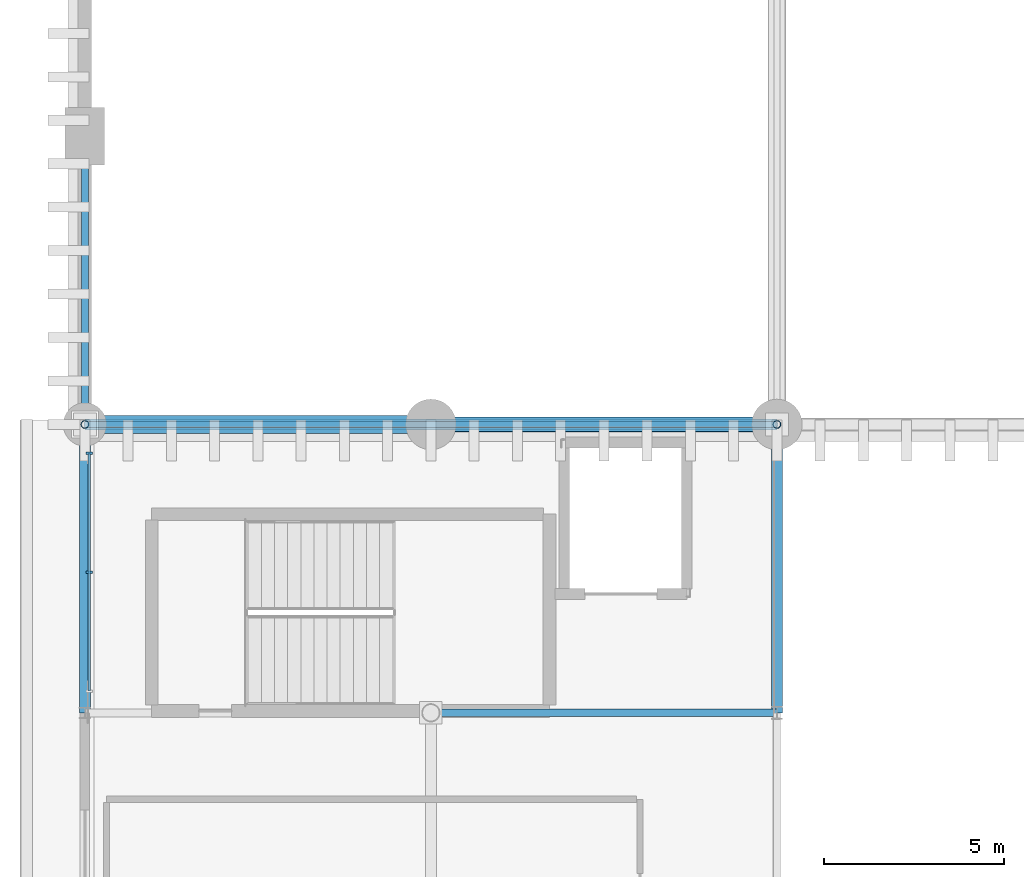
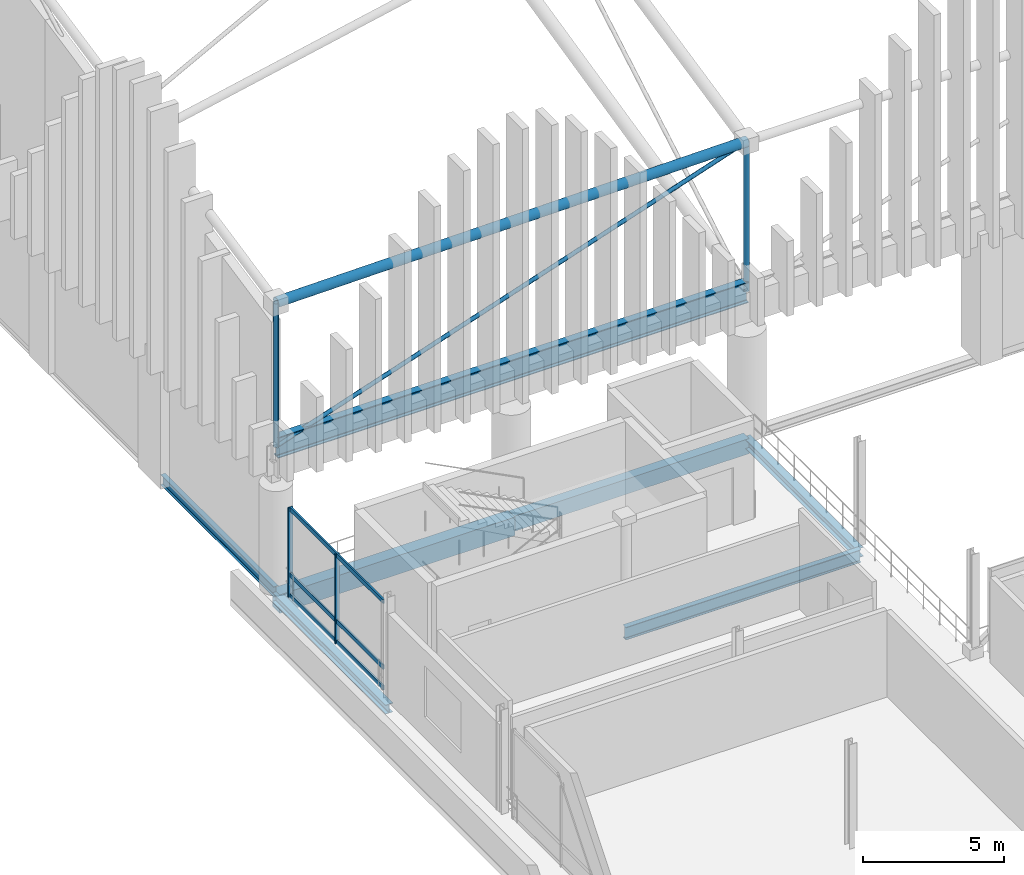
# One storey, part 31 of 193: 9 members, 7 beams, 1 element without a shape of its own.
"""IFC4 building model written with IfcOpenShell, lengths in metres."""

from ifc_helpers import new_model, si_unit, direction, frame, origin, origin_2d, place, context, subcontext, project, spatial, rectangle, hollow_circle, i_section, extrude, material, material_profile, profile_set, type_object, element, aggregate, save


model = new_model("IFC4")

# Units and contexts
model_context = context("Model", 3, precision=1e-05, world=origin(), true_north=direction((0.0, 1.0)))
body_context = subcontext(model_context, "Body", "Model", "MODEL_VIEW")
ifc_project = project(units=[si_unit("LENGTHUNIT", "METRE"), si_unit("AREAUNIT", "SQUARE_METRE"), si_unit("VOLUMEUNIT", "CUBIC_METRE"), si_unit("PLANEANGLEUNIT", "RADIAN"), si_unit("MASSUNIT", "GRAM", prefix="KILO")], contexts=[model_context])

# Site, building, storey
site_placement = place(None, origin())
site = spatial("IfcSite", under=ifc_project, at=site_placement, CompositionType="ELEMENT")
building_placement = place(site_placement, origin())
building = spatial("IfcBuilding", under=site, at=building_placement, Name="Danafjord Basin Convention Centre", CompositionType="ELEMENT")
storey_placement = place(building_placement, frame((0.0, 0.0, 11.39990234375)))
storey = spatial("IfcBuildingStorey", under=building, at=storey_placement, Name="L02", CompositionType="ELEMENT", Elevation=11.39990234375)

# Beams
ifc_material_1 = material(Name="Steel S355", Category="steel")
ifc_material_profile_1 = material_profile(ifc_material_1, i_section(OverallWidth=0.300048828125, OverallDepth=0.89990234375, WebThickness=0.0185546875, FlangeThickness=0.034912109375, FilletRadius=0.030029296875, at=origin_2d()), Name="HEB 900")
ifc_profile_set_1 = profile_set([ifc_material_profile_1], Name="Steel S355")
beam_type_1 = type_object("IfcBeamType", Name="BEAM-BM-HEB900", PredefinedType="BEAM", material=ifc_profile_set_1)
beam_1_placement = place(storey_placement, frame((0.0, 56.0, 6.050048828125), z_axis=(1.0, 0.0, 0.0), x_axis=(0.0, 1.0, 0.0)))
element("IfcBeam", 1, at=beam_1_placement, inside=storey, type_object=beam_type_1, Name="V1 space-frame perimeter ring girder", PredefinedType="BEAM", context=body_context, shape_type="SweptSolid", body=[
    extrude(i_section(OverallWidth=0.300048828125, OverallDepth=0.89990234375, WebThickness=0.0185546875, FlangeThickness=0.034912109375, FilletRadius=0.030029296875, at=origin_2d()), origin(), (0.0, 0.0, 1.0), 19.199951171875),
])
ifc_material_profile_2 = material_profile(ifc_material_1, i_section(OverallWidth=0.2099609375, OverallDepth=0.550048828125, WebThickness=0.010986328125, FlangeThickness=0.01708984375, FilletRadius=0.02392578125, at=origin_2d()), Name="IPE 550")
ifc_profile_set_2 = profile_set([ifc_material_profile_2], Name="Steel S355")
beam_type_2 = type_object("IfcBeamType", Name="BEAM-BM-IPE550", PredefinedType="BEAM", material=ifc_profile_set_2)
beam_2_placement = place(storey_placement, frame((9.60009765625, 48.0, -0.5048828125), z_axis=(1.0, 0.0, 0.0), x_axis=(0.0, 1.0, 0.0)))
element("IfcBeam", 2, at=beam_2_placement, inside=storey, type_object=beam_type_2, Name="L02 girder BM-IPE550", PredefinedType="BEAM", context=body_context, shape_type="SweptSolid", body=[
    extrude(i_section(OverallWidth=0.2099609375, OverallDepth=0.550048828125, WebThickness=0.010986328125, FlangeThickness=0.01708984375, FilletRadius=0.02392578125, at=origin_2d()), origin(), (0.0, 0.0, 1.0), 9.599853515625),
])
ifc_material_profile_3 = material_profile(ifc_material_1, i_section(OverallWidth=0.300048828125, OverallDepth=0.39990234375, WebThickness=0.013427734375, FlangeThickness=0.02392578125, FilletRadius=0.027099609375, at=origin_2d()), Name="HEB 400")
ifc_profile_set_3 = profile_set([ifc_material_profile_3], Name="Steel S355")
beam_type_3 = type_object("IfcBeamType", Name="BEAM-SP-HEB400", PredefinedType="SPANDREL", material=ifc_profile_set_3)
for number, where, z_axis, x_axis, name in (
    (3, (0.0, 48.0, -0.429931640625), (0.0, 1.0, 0.0), (-1.0, 0.0, 0.0), "L02 transverse girder SP-HEB400"),
    (4, (19.199951171875, 48.0, -0.429931640625), (0.0, 1.0, 0.0), (-1.0, 0.0, 0.0), "L02 transverse girder SP-HEB400"),
):
    element("IfcBeam", number, at=place(storey_placement, frame(where, z_axis=z_axis, x_axis=x_axis)), inside=storey, type_object=beam_type_3, Name=name, PredefinedType="SPANDREL", context=body_context, shape_type="SweptSolid", body=[
        extrude(i_section(OverallWidth=0.300048828125, OverallDepth=0.39990234375, WebThickness=0.013427734375, FlangeThickness=0.02392578125, FilletRadius=0.027099609375, at=origin_2d()), origin(), (0.0, 0.0, 1.0), 8.0),
    ])
ifc_material_profile_4 = material_profile(ifc_material_1, i_section(OverallWidth=0.18994140625, OverallDepth=0.449951171875, WebThickness=0.009521484375, FlangeThickness=0.0146484375, FilletRadius=0.02099609375, at=origin_2d()), Name="IPE 450")
ifc_profile_set_4 = profile_set([ifc_material_profile_4], Name="Steel S355")
beam_type_4 = type_object("IfcBeamType", Name="BEAM-SP-IPE450", PredefinedType="SPANDREL", material=ifc_profile_set_4)
beam_3_placement = place(storey_placement, frame((0.0, 56.0, -0.224853515625), z_axis=(0.0, 1.0, 0.0), x_axis=(-1.0, 0.0, 0.0)))
element("IfcBeam", 5, at=beam_3_placement, inside=storey, type_object=beam_type_4, Name="L02 transverse girder SP-IPE450", PredefinedType="SPANDREL", context=body_context, shape_type="SweptSolid", body=[
    extrude(i_section(OverallWidth=0.18994140625, OverallDepth=0.449951171875, WebThickness=0.009521484375, FlangeThickness=0.0146484375, FilletRadius=0.02099609375, at=origin_2d()), origin(), (0.0, 0.0, 1.0), 8.0),
])
ifc_material_2 = material(Name="Precast concrete C45/55", Category="concrete")
ifc_material_profile_5 = material_profile(ifc_material_2, rectangle(XDim=0.39990234375, YDim=0.64990234375, at=origin_2d()), Name="PCB 400x650")
ifc_profile_set_5 = profile_set([ifc_material_profile_5], Name="Precast concrete C45/55")
beam_type_5 = type_object("IfcBeamType", Name="BEAM-SP-PCB650", PredefinedType="SPANDREL", material=ifc_profile_set_5)
beam_4_placement = place(storey_placement, frame((9.60009765625, 56.0, -0.554931640625), z_axis=(1.0, 0.0, 0.0), x_axis=(0.0, 1.0, 0.0)))
element("IfcBeam", 6, at=beam_4_placement, inside=storey, type_object=beam_type_5, Name="L02 girder SP-PCB650", PredefinedType="SPANDREL", context=body_context, shape_type="SweptSolid", body=[
    extrude(rectangle(XDim=0.39990234375, YDim=0.64990234375, at=origin_2d()), origin(), (0.0, 0.0, 1.0), 9.599853515625),
])
ifc_material_profile_6 = material_profile(ifc_material_2, rectangle(XDim=0.5, YDim=0.800048828125, at=origin_2d()), Name="PCB 500x800")
ifc_profile_set_6 = profile_set([ifc_material_profile_6], Name="Precast concrete C45/55")
beam_type_6 = type_object("IfcBeamType", Name="BEAM-SP-PCB800", PredefinedType="SPANDREL", material=ifc_profile_set_6)
beam_5_placement = place(storey_placement, frame((0.0, 56.0, -0.6298828125), z_axis=(1.0, 0.0, 0.0), x_axis=(0.0, 1.0, 0.0)))
element("IfcBeam", 7, at=beam_5_placement, inside=storey, type_object=beam_type_6, Name="L02 girder SP-PCB800", PredefinedType="SPANDREL", context=body_context, shape_type="SweptSolid", body=[
    extrude(rectangle(XDim=0.5, YDim=0.800048828125, at=origin_2d()), origin(), (0.0, 0.0, 1.0), 9.60009765625),
])

# Member
ifc_material_profile_7 = material_profile(ifc_material_1, hollow_circle(Radius=0.203125, WallThickness=0.02001953125, at=origin_2d()), Name="CHS 406.4x20.0")
ifc_profile_set_7 = profile_set([ifc_material_profile_7], Name="Steel S355")
member_type_1 = type_object("IfcMemberType", Name="MEM-CH-CHS406", PredefinedType="CHORD", material=ifc_profile_set_7)
member_1_placement = place(storey_placement, frame((0.0, 56.0, 12.25), z_axis=(0.999931282566, 0.0, 0.011723060444), x_axis=(0.0, 1.0, 0.0)))
element("IfcMember", 8, at=member_1_placement, inside=storey, type_object=member_type_1, Name="V1 roof truss longitudinal top chord", PredefinedType="CHORD", context=body_context, shape_type="SweptSolid", body=[
    extrude(hollow_circle(Radius=0.203125, WallThickness=0.02001953125, at=origin_2d()), origin(), (0.0, 0.0, 1.0), 19.201171875),
])

# Curtain wall, members
ifc_material_3 = material(Name="Anodised aluminium and triple glazing", Category="aluminium")
curtain_wall_type = type_object("IfcCurtainWallType", Name="CW-CW-TERR", PredefinedType="NOTDEFINED", material=ifc_material_3)
curtain_wall_placement = place(storey_placement, origin())
curtain_wall = element("IfcCurtainWall", 9, at=curtain_wall_placement, inside=storey, type_object=curtain_wall_type, Name="L02 CW-TERR unitised curtain wall bay 71", PredefinedType="NOTDEFINED")
ifc_material_4 = material(Name="Anodised aluminium EN AW-6060", Category="aluminium")
ifc_material_profile_8 = material_profile(ifc_material_4, rectangle(XDim=0.06005859375, YDim=0.179931640625, at=origin_2d()), Name="MULL 60x180")
ifc_profile_set_8 = profile_set([ifc_material_profile_8], Name="Anodised aluminium EN AW-6060")
member_type_2 = type_object("IfcMemberType", Name="MEM-ML-180", PredefinedType="MULLION", material=ifc_profile_set_8)
member_2_placement = place(storey_placement, frame((0.1201171875, 55.199951171875, -0.02490234375), z_axis=(0.0, 0.0, 1.0), x_axis=(0.0, -1.0, 0.0)))
member_2 = element("IfcMember", 10, at=member_2_placement, type_object=member_type_2, Name="CW-L02-071 mullion 1", PredefinedType="MULLION", context=body_context, shape_type="SweptSolid", body=[
    extrude(rectangle(XDim=0.06005859375, YDim=0.179931640625, at=origin_2d()), origin(), (0.0, 0.0, 1.0), 3.885009765625),
])
member_3_placement = place(storey_placement, frame((0.1201171875, 51.89990234375, -0.02490234375), z_axis=(0.0, 0.0, 1.0), x_axis=(0.0, -1.0, 0.0)))
member_3 = element("IfcMember", 11, at=member_3_placement, type_object=member_type_2, Name="CW-L02-071 mullion 2", PredefinedType="MULLION", context=body_context, shape_type="SweptSolid", body=[
    extrude(rectangle(XDim=0.06005859375, YDim=0.179931640625, at=origin_2d()), origin(), (0.0, 0.0, 1.0), 3.885009765625),
])

# Members
ifc_material_profile_9 = material_profile(ifc_material_1, hollow_circle(Radius=0.109619140625, WallThickness=0.010009765625, at=origin_2d()), Name="CHS 219.1x10.0")
ifc_profile_set_9 = profile_set([ifc_material_profile_9], Name="Steel S355")
member_type_3 = type_object("IfcMemberType", Name="MEM-ST-CHS219", PredefinedType="STRUT", material=ifc_profile_set_9)
member_4_placement = place(storey_placement, frame((0.0, 56.0, 6.050048828125), z_axis=(0.0, 0.0, 1.0), x_axis=(1.0, 0.0, 0.0)))
element("IfcMember", 12, at=member_4_placement, inside=storey, type_object=member_type_3, Name="V1 roof truss vertical strut", PredefinedType="STRUT", context=body_context, shape_type="SweptSolid", body=[
    extrude(hollow_circle(Radius=0.109619140625, WallThickness=0.010009765625, at=origin_2d()), origin(), (0.0, 0.0, 1.0), 6.199951171875),
])
member_5_placement = place(storey_placement, frame((19.199951171875, 56.0, 6.050048828125), z_axis=(0.0, 0.0, 1.0), x_axis=(1.0, 0.0, 0.0)))
element("IfcMember", 13, at=member_5_placement, inside=storey, type_object=member_type_3, Name="V1 roof truss vertical strut", PredefinedType="STRUT", context=body_context, shape_type="SweptSolid", body=[
    extrude(hollow_circle(Radius=0.109619140625, WallThickness=0.010009765625, at=origin_2d()), origin(), (0.0, 0.0, 1.0), 6.425048828125),
])

# Member
ifc_material_profile_10 = material_profile(ifc_material_4, rectangle(XDim=0.06494140625, YDim=0.18994140625, at=origin_2d()), Name="TRAN 65x190")
ifc_profile_set_10 = profile_set([ifc_material_profile_10], Name="Anodised aluminium EN AW-6060")
member_type_4 = type_object("IfcMemberType", Name="MEM-TR-190", PredefinedType="USERDEFINED", material=ifc_profile_set_10)
member_6_placement = place(storey_placement, frame((0.1201171875, 55.199951171875, 0.06005859375), z_axis=(0.0, -1.0, 0.0), x_axis=(1.0, 0.0, 0.0)))
member_6 = element("IfcMember", 14, at=member_6_placement, type_object=member_type_4, Name="CW-L02-071 transom 1", ObjectType="TRANSOM", PredefinedType="USERDEFINED", context=body_context, shape_type="SweptSolid", body=[
    extrude(rectangle(XDim=0.06494140625, YDim=0.18994140625, at=origin_2d()), origin(), (0.0, 0.0, 1.0), 6.599853515625),
])

member_7_placement = place(storey_placement, frame((0.1201171875, 55.199951171875, 0.9501953125), z_axis=(0.0, -1.0, 0.0), x_axis=(1.0, 0.0, 0.0)))
member_7 = element("IfcMember", 15, at=member_7_placement, type_object=member_type_4, Name="CW-L02-071 transom 2", ObjectType="TRANSOM", PredefinedType="USERDEFINED", context=body_context, shape_type="SweptSolid", body=[
    extrude(rectangle(XDim=0.06494140625, YDim=0.18994140625, at=origin_2d()), origin(), (0.0, 0.0, 1.0), 6.599853515625),
])

member_8_placement = place(storey_placement, frame((0.1201171875, 55.199951171875, 3.7900390625), z_axis=(0.0, -1.0, 0.0), x_axis=(1.0, 0.0, 0.0)))
member_8 = element("IfcMember", 16, at=member_8_placement, type_object=member_type_4, Name="CW-L02-071 transom 3", ObjectType="TRANSOM", PredefinedType="USERDEFINED", context=body_context, shape_type="SweptSolid", body=[
    extrude(rectangle(XDim=0.06494140625, YDim=0.18994140625, at=origin_2d()), origin(), (0.0, 0.0, 1.0), 6.599853515625),
])

aggregate(curtain_wall, [member_2, member_3, member_6, member_7, member_8])

ifc_material_profile_11 = material_profile(ifc_material_1, hollow_circle(Radius=0.084228515625, WallThickness=0.008056640625, at=origin_2d()), Name="CHS 168.3x8.0")
ifc_profile_set_11 = profile_set([ifc_material_profile_11], Name="Steel S355")
member_type_5 = type_object("IfcMemberType", Name="MEM-WB-CHS168", PredefinedType="MEMBER", material=ifc_profile_set_11)
member_9_placement = place(storey_placement, frame((0.0, 56.0, 6.050048828125), z_axis=(0.948311244058, 0.0, 0.317341747007), x_axis=(0.0, 1.0, 0.0)))
element("IfcMember", 17, at=member_9_placement, inside=storey, type_object=member_type_5, Name="V1 space-frame longitudinal web", PredefinedType="MEMBER", context=body_context, shape_type="SweptSolid", body=[
    extrude(hollow_circle(Radius=0.084228515625, WallThickness=0.008056640625, at=origin_2d()), origin(), (0.0, 0.0, 1.0), 20.24658203125),
])

save(model, "model.ifc")
